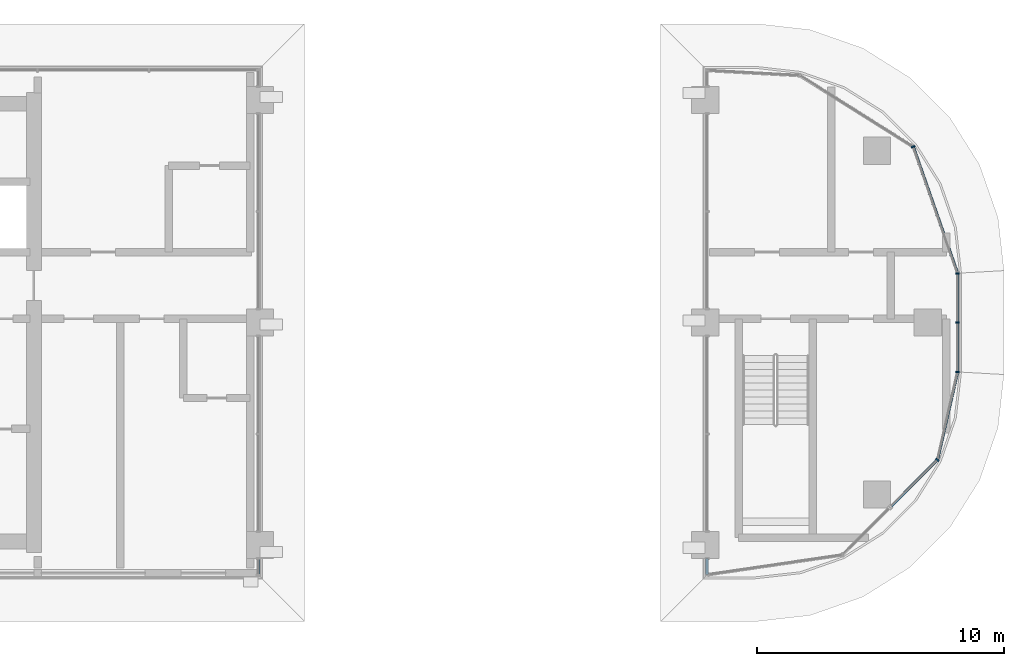
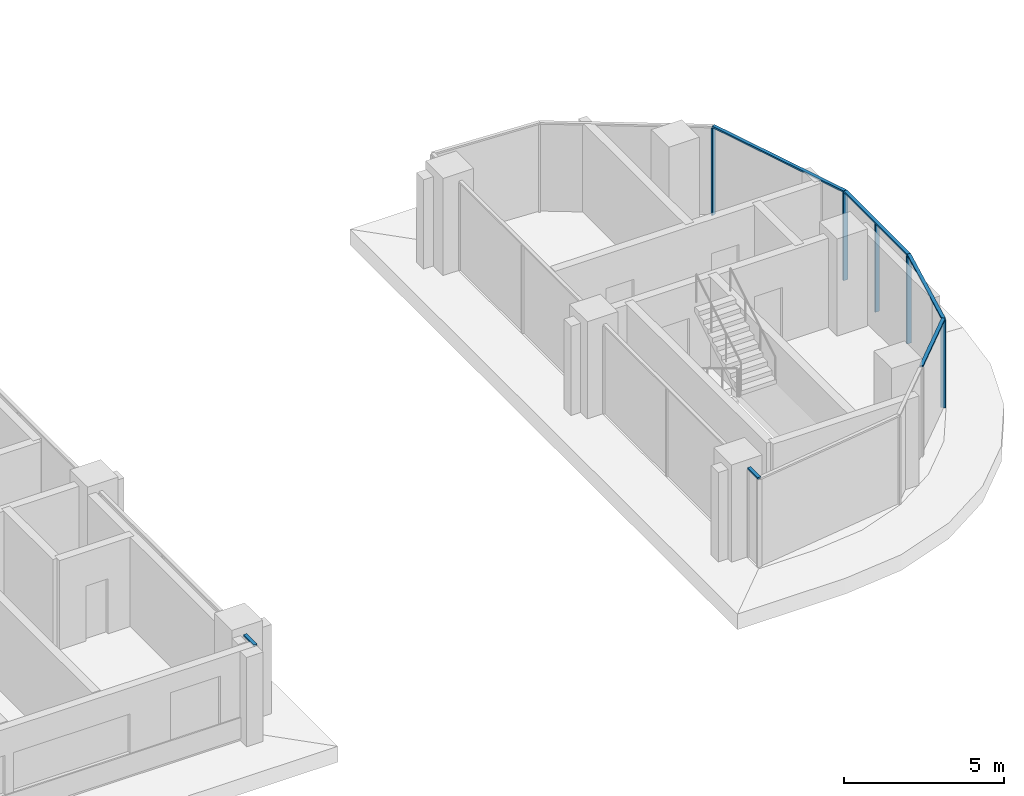
# One storey, part 7 of 27: 11 members, 5 elements without a shape of their own.
"""IFC4 building model written with IfcOpenShell, lengths in metres."""

from ifc_helpers import new_model, si_unit, direction, frame, origin, origin_2d, place, context, subcontext, project, spatial, rectangle, extrude, material, material_profile, profile_set, type_object, element, aggregate, save


model = new_model("IFC4")

# Units and contexts
model_context = context("Model", 3, precision=1e-05, world=origin(), true_north=direction((0.0, 1.0)))
body_context = subcontext(model_context, "Body", "Model", "MODEL_VIEW")
ifc_project = project(units=[si_unit("LENGTHUNIT", "METRE"), si_unit("AREAUNIT", "SQUARE_METRE"), si_unit("VOLUMEUNIT", "CUBIC_METRE"), si_unit("PLANEANGLEUNIT", "RADIAN"), si_unit("MASSUNIT", "GRAM", prefix="KILO")], contexts=[model_context])

# Site, building, storey
site_placement = place(None, origin())
site = spatial("IfcSite", under=ifc_project, at=site_placement, CompositionType="ELEMENT")
building_placement = place(site_placement, origin())
building = spatial("IfcBuilding", under=site, at=building_placement, Name="Ogive Portal Towers", CompositionType="ELEMENT")
storey_placement = place(building_placement, frame((0.0, 0.0, 160.699951171875)))
storey = spatial("IfcBuildingStorey", under=building, at=storey_placement, Name="L39", CompositionType="ELEMENT", Elevation=160.699951171875)

# Curtain wall, members
ifc_material_1 = material(Name="Glass, clear low-iron insulated glazing", Category="glass")
curtain_wall_type_1 = type_object("IfcCurtainWallType", Name="CW FRONT RIBBON 4500", PredefinedType="NOTDEFINED", material=ifc_material_1)
curtain_wall_1_placement = place(storey_placement, origin())
curtain_wall_1 = element("IfcCurtainWall", 1, at=curtain_wall_1_placement, inside=storey, type_object=curtain_wall_type_1, Name="A:L39:f26:cw0", PredefinedType="NOTDEFINED")
ifc_material_2 = material(Name="Aluminium 6063 anodised", Category="aluminium")
ifc_material_profile_1 = material_profile(ifc_material_2, rectangle(XDim=0.159912109375, YDim=0.06005859375, at=origin_2d()), Name="AL 60x160")
ifc_profile_set_1 = profile_set([ifc_material_profile_1], Name="Aluminium 6063 anodised")
member_type_1 = type_object("IfcMemberType", Name="CW MULLION 60x160", PredefinedType="MULLION", material=ifc_profile_set_1)
member_1_placement = place(storey_placement, frame((95.705078125, 28.509033203125, 0.0), z_axis=(0.0, 0.0, 1.0), x_axis=(-1.0, 0.0, 0.0)))
member_1 = element("IfcMember", 2, at=member_1_placement, type_object=member_type_1, Name="mullion", PredefinedType="MULLION", context=body_context, shape_type="SweptSolid", body=[
    extrude(rectangle(XDim=0.159912109375, YDim=0.06005859375, at=origin_2d()), origin(), (0.0, 0.0, 1.0), 3.340087890625),
])
member_2_placement = place(storey_placement, frame((95.705078125, 30.5, 0.0), z_axis=(0.0, 0.0, 1.0), x_axis=(-1.0, 0.0, 0.0)))
member_2 = element("IfcMember", 3, at=member_2_placement, type_object=member_type_1, Name="mullion", PredefinedType="MULLION", context=body_context, shape_type="SweptSolid", body=[
    extrude(rectangle(XDim=0.159912109375, YDim=0.06005859375, at=origin_2d()), origin(), (0.0, 0.0, 1.0), 3.340087890625),
])
member_3_placement = place(storey_placement, frame((95.705078125, 32.486328125, 0.0), z_axis=(0.0, 0.0, 1.0), x_axis=(-1.0, 0.0, 0.0)))
member_3 = element("IfcMember", 4, at=member_3_placement, type_object=member_type_1, Name="mullion", PredefinedType="MULLION", context=body_context, shape_type="SweptSolid", body=[
    extrude(rectangle(XDim=0.159912109375, YDim=0.06005859375, at=origin_2d()), origin(), (0.0, 0.0, 1.0), 3.340087890625),
])

# Curtain wall, member
curtain_wall_2_placement = place(storey_placement, origin())
curtain_wall_2 = element("IfcCurtainWall", 5, at=curtain_wall_2_placement, inside=storey, type_object=curtain_wall_type_1, Name="A:L39:f23:cwa~1", PredefinedType="NOTDEFINED")
member_4_placement = place(storey_placement, frame((94.8916015625, 24.945556640625, 0.0), z_axis=(0.0, 0.0, 1.0), x_axis=(-0.707106781187, 0.707106781187, 0.0)))
member_4 = element("IfcMember", 6, at=member_4_placement, type_object=member_type_1, Name="mullion", PredefinedType="MULLION", context=body_context, shape_type="SweptSolid", body=[
    extrude(rectangle(XDim=0.159912109375, YDim=0.06005859375, at=origin_2d()), origin(), (0.0, 0.0, 1.0), 3.340087890625),
])

curtain_wall_3_placement = place(storey_placement, origin())
curtain_wall_3 = element("IfcCurtainWall", 7, at=curtain_wall_3_placement, inside=storey, type_object=curtain_wall_type_1, Name="A:L39:f27:cwa", PredefinedType="NOTDEFINED")
member_5_placement = place(storey_placement, frame((93.9111328125, 37.61279296875, 0.0), z_axis=(0.0, 0.0, 1.0), x_axis=(-0.943883330307, -0.33027906196, 0.0)))
member_5 = element("IfcMember", 8, at=member_5_placement, type_object=member_type_1, Name="mullion", PredefinedType="MULLION", context=body_context, shape_type="SweptSolid", body=[
    extrude(rectangle(XDim=0.159912109375, YDim=0.06005859375, at=origin_2d()), origin(), (0.0, 0.0, 1.0), 3.340087890625),
])

curtain_wall_type_2 = type_object("IfcCurtainWallType", Name="CW PORTAL REVEAL", PredefinedType="NOTDEFINED", material=ifc_material_1)
curtain_wall_4_placement = place(storey_placement, origin())
curtain_wall_4 = element("IfcCurtainWall", 9, at=curtain_wall_4_placement, inside=storey, type_object=curtain_wall_type_2, Name="A:L39:f06:cw0~0", PredefinedType="NOTDEFINED")
ifc_material_profile_2 = material_profile(ifc_material_2, rectangle(XDim=0.1201171875, YDim=0.06005859375, at=origin_2d()), Name="AL 120x60")
ifc_profile_set_2 = profile_set([ifc_material_profile_2], Name="Aluminium 6063 anodised")
member_type_2 = type_object("IfcMemberType", Name="CW TRANSOM 60x120", PredefinedType="USERDEFINED", material=ifc_profile_set_2)
member_6_placement = place(storey_placement, frame((67.419921875, 20.294921875, 3.3701171875), z_axis=(0.0, 1.0, 0.0), x_axis=(-1.0, 0.0, 0.0)))
member_6 = element("IfcMember", 10, at=member_6_placement, type_object=member_type_2, Name="transom", ObjectType="TRANSOM", PredefinedType="USERDEFINED", context=body_context, shape_type="SweptSolid", body=[
    extrude(rectangle(XDim=0.1201171875, YDim=0.06005859375, at=origin_2d()), origin(), (0.0, 0.0, 1.0), 0.655029296875),
])
aggregate(curtain_wall_4, [member_6])

curtain_wall_5_placement = place(storey_placement, origin())
curtain_wall_5 = element("IfcCurtainWall", 11, at=curtain_wall_5_placement, inside=storey, type_object=curtain_wall_type_2, Name="A:L39:f22:cw0~3", PredefinedType="NOTDEFINED")
member_7_placement = place(storey_placement, frame((85.580078125, 20.949951171875, 3.3701171875), z_axis=(0.0, -1.0, 0.0), x_axis=(1.0, 0.0, 0.0)))
member_7 = element("IfcMember", 12, at=member_7_placement, type_object=member_type_2, Name="transom", ObjectType="TRANSOM", PredefinedType="USERDEFINED", context=body_context, shape_type="SweptSolid", body=[
    extrude(rectangle(XDim=0.1201171875, YDim=0.06005859375, at=origin_2d()), origin(), (0.0, 0.0, 1.0), 0.642333984375),
])
aggregate(curtain_wall_5, [member_7])

# Member
member_8_placement = place(storey_placement, frame((95.705078125, 28.509033203125, 3.3701171875), z_axis=(0.0, 1.0, 0.0), x_axis=(-1.0, 0.0, 0.0)))
member_8 = element("IfcMember", 13, at=member_8_placement, type_object=member_type_2, Name="transom", ObjectType="TRANSOM", PredefinedType="USERDEFINED", context=body_context, shape_type="SweptSolid", body=[
    extrude(rectangle(XDim=0.1201171875, YDim=0.06005859375, at=origin_2d()), origin(), (0.0, 0.0, 1.0), 3.977294921875),
])

aggregate(curtain_wall_1, [member_8, member_1, member_2, member_3])

member_9_placement = place(storey_placement, frame((93.0, 23.053955078125, 3.3701171875), z_axis=(0.707106781187, 0.707106781187, 0.0), x_axis=(-0.707106781187, 0.707106781187, 0.0)))
member_9 = element("IfcMember", 14, at=member_9_placement, type_object=member_type_2, Name="transom", ObjectType="TRANSOM", PredefinedType="USERDEFINED", context=body_context, shape_type="SweptSolid", body=[
    extrude(rectangle(XDim=0.1201171875, YDim=0.06005859375, at=origin_2d()), origin(), (0.0, 0.0, 1.0), 2.675048828125),
])

member_10_placement = place(storey_placement, frame((94.8916015625, 24.945556640625, 3.3701171875), z_axis=(0.2225563749, 0.97491982234, 0.0), x_axis=(-0.97491982234, 0.2225563749, 0.0)))
member_10 = element("IfcMember", 15, at=member_10_placement, type_object=member_type_2, Name="transom", ObjectType="TRANSOM", PredefinedType="USERDEFINED", context=body_context, shape_type="SweptSolid", body=[
    extrude(rectangle(XDim=0.1201171875, YDim=0.06005859375, at=origin_2d()), origin(), (0.0, 0.0, 1.0), 3.655029296875),
])

aggregate(curtain_wall_2, [member_9, member_10, member_4])

member_11_placement = place(storey_placement, frame((95.705078125, 32.486328125, 3.3701171875), z_axis=(-0.33029836541, 0.943876575516, 0.0), x_axis=(-0.943876575516, -0.33029836541, 0.0)))
member_11 = element("IfcMember", 16, at=member_11_placement, type_object=member_type_2, Name="transom", ObjectType="TRANSOM", PredefinedType="USERDEFINED", context=body_context, shape_type="SweptSolid", body=[
    extrude(rectangle(XDim=0.1201171875, YDim=0.06005859375, at=origin_2d()), origin(), (0.0, 0.0, 1.0), 5.431396484375),
])

aggregate(curtain_wall_3, [member_11, member_5])

save(model, "model.ifc")
